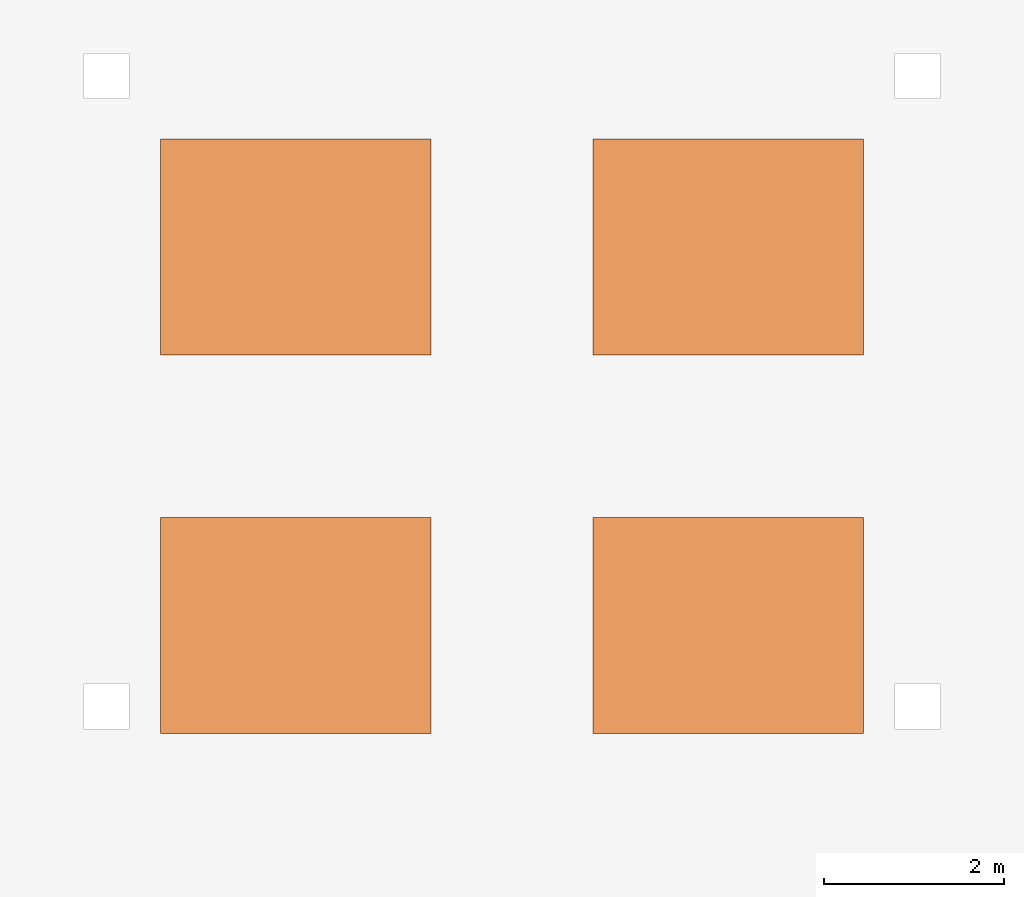
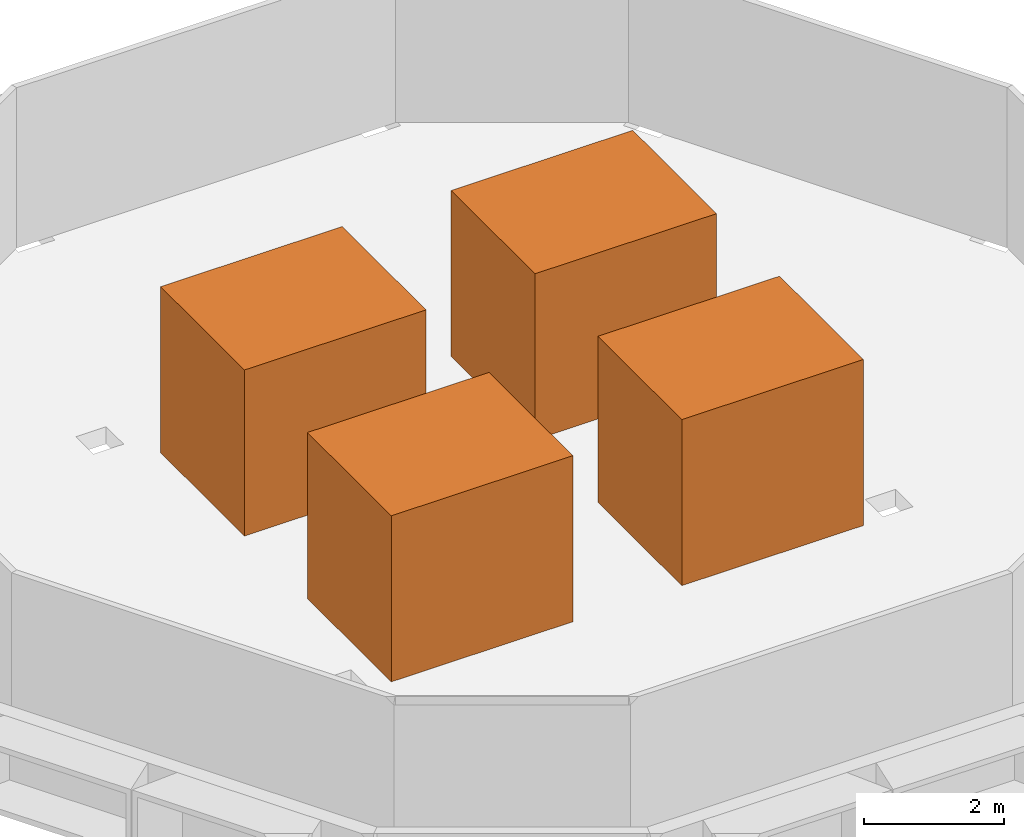
# One storey, part 3 of 3: 4 proxies.
"""IFC4 building model written with IfcOpenShell, lengths in metres."""

from ifc_helpers import new_model, si_unit, direction, frame, origin, origin_2d, place, context, subcontext, project, spatial, rectangle, extrude, material, type_object, element, save


model = new_model("IFC4")

# Units and contexts
model_context = context("Model", 3, precision=1e-05, world=origin(), true_north=direction((0.0, 1.0)))
body_context = subcontext(model_context, "Body", "Model", "MODEL_VIEW")
ifc_project = project(units=[si_unit("LENGTHUNIT", "METRE"), si_unit("AREAUNIT", "SQUARE_METRE"), si_unit("VOLUMEUNIT", "CUBIC_METRE"), si_unit("PLANEANGLEUNIT", "RADIAN"), si_unit("MASSUNIT", "GRAM", prefix="KILO")], contexts=[model_context])

# Site, building, storey
site_placement = place(None, origin())
site = spatial("IfcSite", under=ifc_project, at=site_placement, CompositionType="ELEMENT")
building_placement = place(site_placement, origin())
building = spatial("IfcBuilding", under=site, at=building_placement, Name="Beryl Residences", CompositionType="ELEMENT")
storey_placement = place(building_placement, frame((0.0, 0.0, 262.800048828125)))
storey = spatial("IfcBuildingStorey", under=building, at=storey_placement, Name="ROOF", CompositionType="ELEMENT", Elevation=262.800048828125)

# Proxies
ifc_material = material(Name="Galvanised steel and fibreglass", Category="steel")
building_element_proxy_type = type_object("IfcBuildingElementProxyType", Name="CT1 cooling tower 3000 x 2400 mm", PredefinedType="USERDEFINED", material=ifc_material)
for number, where, z_axis, x_axis, name in (
    (1, (-2.39990234375, -2.10009765625, 0.0), (0.0, 0.0, 1.0), (1.0, 0.0, 0.0), "CT1 cooling tower 1"),
    (2, (-2.39990234375, 2.10009765625, 0.0), (0.0, 0.0, 1.0), (1.0, 0.0, 0.0), "CT1 cooling tower 2"),
    (3, (2.39990234375, -2.10009765625, 0.0), (0.0, 0.0, 1.0), (1.0, 0.0, 0.0), "CT1 cooling tower 3"),
    (4, (2.39990234375, 2.10009765625, 0.0), (0.0, 0.0, 1.0), (1.0, 0.0, 0.0), "CT1 cooling tower 4"),
):
    element("IfcBuildingElementProxy", number, at=place(storey_placement, frame(where, z_axis=z_axis, x_axis=x_axis)), inside=storey, type_object=building_element_proxy_type, Name=name, ObjectType="COOLING TOWER", PredefinedType="USERDEFINED", context=body_context, shape_type="SweptSolid", body=[
        extrude(rectangle(XDim=3.0, YDim=2.39990234375, at=origin_2d()), origin(), (0.0, 0.0, 1.0), 2.89990234375),
    ])

save(model, "model.ifc")
